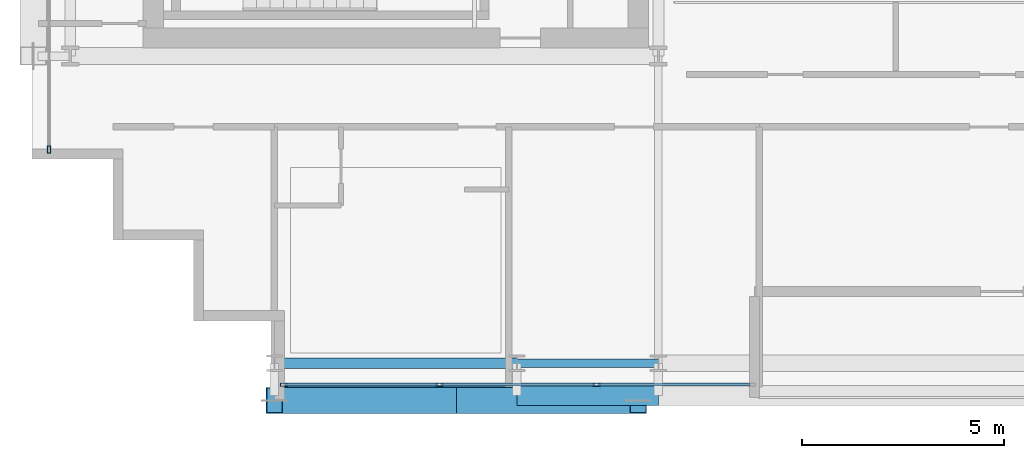
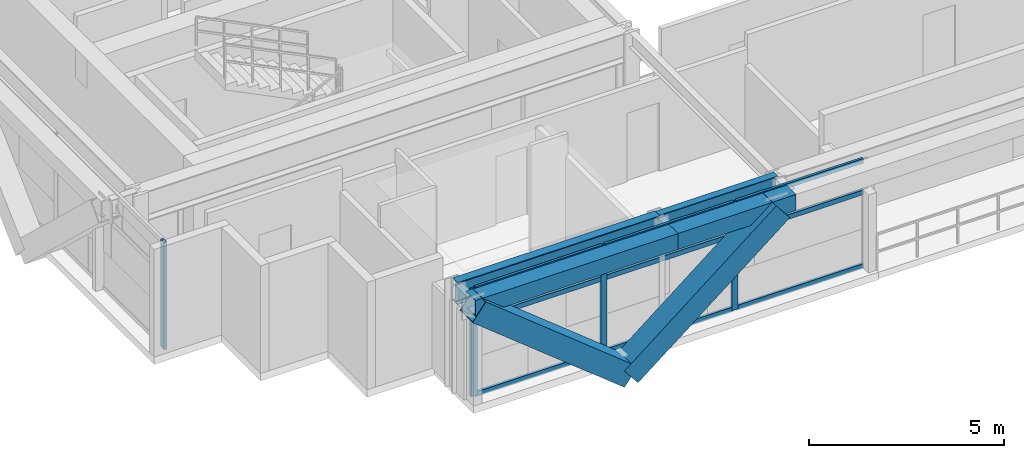
# One storey, part 2 of 37: 15 members, 4 beams, 2 elements without a shape of their own.
"""IFC4 building model written with IfcOpenShell, lengths in metres."""

from ifc_helpers import new_model, si_unit, direction, frame, origin, origin_2d, place, context, subcontext, project, spatial, hollow_rectangle, i_section, extrude, source, transform, mapped, material, layer, layer_set, material_profile, profile_set, type_object, element, aggregate, save


model = new_model("IFC4")

# Units and contexts
model_context = context("Model", 3, precision=1e-05, world=origin(), true_north=direction((0.0, 1.0)))
body_context = subcontext(model_context, "Body", "Model", "MODEL_VIEW")
ifc_project = project(units=[si_unit("LENGTHUNIT", "METRE"), si_unit("AREAUNIT", "SQUARE_METRE"), si_unit("VOLUMEUNIT", "CUBIC_METRE"), si_unit("PLANEANGLEUNIT", "RADIAN"), si_unit("MASSUNIT", "GRAM", prefix="KILO")], contexts=[model_context])

# Site, building, storey
site_placement = place(None, origin())
site = spatial("IfcSite", under=ifc_project, at=site_placement, CompositionType="ELEMENT")
building_placement = place(site_placement, origin())
building = spatial("IfcBuilding", under=site, at=building_placement, Name="Ocotamira Hotel", CompositionType="ELEMENT")
storey_placement = place(building_placement, frame((0.0, 0.0, 192.0)))
storey = spatial("IfcBuildingStorey", under=building, at=storey_placement, Name="L48", CompositionType="ELEMENT", Elevation=192.0)

# Beams
ifc_material_1 = material(Name="Steel ASTM A992 Grade 50", Category="steel")
ifc_material_profile_1 = material_profile(ifc_material_1, i_section(OverallWidth=0.256103515625, OverallDepth=0.693115234375, WebThickness=0.014404296875, FlangeThickness=0.023681640625, FilletRadius=0.01611328125, at=origin_2d()), Name="W27X114")
ifc_profile_set_1 = profile_set([ifc_material_profile_1], Name="Steel ASTM A992 Grade 50")
beam_type_1 = type_object("IfcBeamType", Name="BM-PRIM-W27X114", PredefinedType="BEAM", material=ifc_profile_set_1)
shared_shape_1 = source(origin(), body_context, "Body", "SweptSolid", [
    extrude(i_section(OverallWidth=0.256103515625, OverallDepth=0.693115234375, WebThickness=0.014404296875, FlangeThickness=0.023681640625, FilletRadius=0.01611328125, at=origin_2d()), origin(), (0.0, 0.0, 1.0), 6.0),
])
beam_1_placement = place(storey_placement, frame((14.0, 6.949951171875, 3.0234375), z_axis=(1.0, 0.0, 0.0), x_axis=(0.0, 1.0, 0.0)))
element("IfcBeam", 1, at=beam_1_placement, inside=storey, type_object=beam_type_1, Name="L48 Girder Y6.95 X14-20", PredefinedType="BEAM", context=body_context, shape_type="MappedRepresentation", body=[
    mapped(shared_shape_1, transform((0.0, 0.0, 0.0), scale=1.0)),
])
ifc_material_profile_2 = material_profile(ifc_material_1, i_section(OverallWidth=0.2099609375, OverallDepth=0.537109375, WebThickness=0.010986328125, FlangeThickness=0.017333984375, FilletRadius=0.012939453125, at=origin_2d()), Name="W21X68")
ifc_profile_set_2 = profile_set([ifc_material_profile_2], Name="Steel ASTM A992 Grade 50")
beam_type_2 = type_object("IfcBeamType", Name="BM-SEC-W21X68", PredefinedType="JOIST", material=ifc_profile_set_2)
shared_shape_2 = source(origin(), body_context, "Body", "SweptSolid", [
    extrude(i_section(OverallWidth=0.2099609375, OverallDepth=0.537109375, WebThickness=0.010986328125, FlangeThickness=0.017333984375, FilletRadius=0.012939453125, at=origin_2d()), origin(), (0.0, 0.0, 1.0), 3.5),
])
beam_2_placement = place(storey_placement, frame((20.0, 6.949951171875, 3.1015625), z_axis=(1.0, 0.0, 0.0), x_axis=(0.0, 1.0, 0.0)))
element("IfcBeam", 2, at=beam_2_placement, inside=storey, type_object=beam_type_2, Name="L48 Girder Y6.95 X20-23.5", PredefinedType="JOIST", context=body_context, shape_type="MappedRepresentation", body=[
    mapped(shared_shape_2, transform((0.0, 0.0, 0.0), scale=1.0)),
])
ifc_material_2 = material(Name="Steel ASTM A500 Grade C", Category="steel")
ifc_material_profile_3 = material_profile(ifc_material_2, hollow_rectangle(XDim=0.5, YDim=0.5, WallThickness=0.02001953125, at=origin_2d()), Name="HSS500X500X20")
ifc_profile_set_3 = profile_set([ifc_material_profile_3], Name="Steel ASTM A500 Grade C")
beam_type_3 = type_object("IfcBeamType", Name="BM-SPAN-HSS500", PredefinedType="USERDEFINED", material=ifc_profile_set_3)
shared_shape_3 = source(origin(), body_context, "Body", "SweptSolid", [
    extrude(hollow_rectangle(XDim=0.5, YDim=0.5, WallThickness=0.02001953125, at=origin_2d()), origin(), (0.0, 0.0, 1.0), 6.0),
])
beam_3_placement = place(storey_placement, frame((14.0, 6.14990234375, 3.1201171875), z_axis=(1.0, 0.0, 0.0), x_axis=(0.0, 1.0, 0.0)))
element("IfcBeam", 3, at=beam_3_placement, inside=storey, type_object=beam_type_3, Name="L48 Edge Spandrel S X14-20", ObjectType="SPANDREL", PredefinedType="USERDEFINED", context=body_context, shape_type="MappedRepresentation", body=[
    mapped(shared_shape_3, transform((0.0, 0.0, 0.0), scale=1.0)),
])
shared_shape_4 = source(origin(), body_context, "Body", "SweptSolid", [
    extrude(hollow_rectangle(XDim=0.5, YDim=0.5, WallThickness=0.02001953125, at=origin_2d()), origin(), (0.0, 0.0, 1.0), 3.5),
])
beam_4_placement = place(storey_placement, frame((20.0, 6.14990234375, 3.1201171875), z_axis=(1.0, 0.0, 0.0), x_axis=(0.0, 1.0, 0.0)))
element("IfcBeam", 4, at=beam_4_placement, inside=storey, type_object=beam_type_3, Name="L48 Edge Spandrel S X20-23.5", ObjectType="SPANDREL", PredefinedType="USERDEFINED", context=body_context, shape_type="MappedRepresentation", body=[
    mapped(shared_shape_4, transform((0.0, 0.0, 0.0), scale=1.0)),
])

# Members
ifc_material_3 = material(Name="Pale-metal coated steel ASTM A913 Grade 65", Category="steel")
ifc_material_profile_4 = material_profile(ifc_material_3, hollow_rectangle(XDim=0.64990234375, YDim=0.64990234375, WallThickness=0.02197265625, at=origin_2d()), Name="BOX650X650X22")
ifc_profile_set_4 = profile_set([ifc_material_profile_4], Name="Pale-metal coated steel ASTM A913 Grade 65")
member_type_1 = type_object("IfcMemberType", Name="MEM-EXO-BOX650", PredefinedType="BRACE", material=ifc_profile_set_4)
shared_shape_5 = source(origin(), body_context, "Body", "SweptSolid", [
    extrude(hollow_rectangle(XDim=0.64990234375, YDim=0.64990234375, WallThickness=0.02197265625, at=origin_2d()), origin(), (0.0, 0.0, 1.0), 5.762939453125),
])
for number, where, z_axis, x_axis, name in (
    (5, (18.5, 6.030029296875, -0.47998046875), (-0.780860543151, 0.0, 0.624705380279), (0.0, -1.0, 0.0), "L48 Exoskeleton Diagrid S0.1"),
    (6, (18.5, 6.030029296875, -0.47998046875), (0.780860543151, 0.0, 0.624705380279), (0.0, 1.0, 0.0), "L48 Exoskeleton Diagrid S0.2"),
):
    element("IfcMember", number, at=place(storey_placement, frame(where, z_axis=z_axis, x_axis=x_axis)), inside=storey, type_object=member_type_1, Name=name, PredefinedType="BRACE", context=body_context, shape_type="MappedRepresentation", body=[
        mapped(shared_shape_5, transform((0.0, 0.0, 0.0), scale=1.0)),
    ])

# Curtain wall, members
ifc_material_4 = material(Name="Anodised pale-metal aluminium and solar glass", Category="aluminium")
ifc_layer = layer(ifc_material_4, 0.199951171875)
ifc_layer_set = layer_set([ifc_layer], Name="Anodised pale-metal aluminium and solar glass")
curtain_wall_type = type_object("IfcCurtainWallType", Name="CW-SYS4-Z3", PredefinedType="NOTDEFINED", material=ifc_layer_set)
curtain_wall_1_placement = place(storey_placement, origin())
curtain_wall_1 = element("IfcCurtainWall", 7, at=curtain_wall_1_placement, inside=storey, type_object=curtain_wall_type, Name="L48 Curtain Wall CW-4 CW-L48-S1", PredefinedType="NOTDEFINED")
ifc_material_5 = material(Name="Anodised pale-metal aluminium 6063-T6", Category="aluminium")
ifc_material_profile_5 = material_profile(ifc_material_5, hollow_rectangle(XDim=0.080078125, YDim=0.179931640625, WallThickness=0.006103515625, at=origin_2d()), Name="HSS180X80X6")
ifc_profile_set_5 = profile_set([ifc_material_profile_5], Name="Anodised pale-metal aluminium 6063-T6")
member_type_2 = type_object("IfcMemberType", Name="CWM-180X75", PredefinedType="MULLION", material=ifc_profile_set_5)
shared_shape_6 = source(origin(), body_context, "Body", "SweptSolid", [
    extrude(hollow_rectangle(XDim=0.080078125, YDim=0.179931640625, WallThickness=0.006103515625, at=origin_2d()), origin(), (0.0, 0.0, 1.0), 3.3701171875),
])
member_1_placement = place(storey_placement, frame((14.239990234375, 6.419921875, 0.0), z_axis=(0.0, 0.0, 1.0), x_axis=(0.0, 1.0, 0.0)))
member_1 = element("IfcMember", 8, at=member_1_placement, type_object=member_type_2, Name="CW-4 mullion 1", PredefinedType="MULLION", context=body_context, shape_type="MappedRepresentation", body=[
    mapped(shared_shape_6, transform((0.0, 0.0, 0.0), scale=1.0)),
])
member_2_placement = place(storey_placement, frame((18.083251953125, 6.419921875, 0.0), z_axis=(0.0, 0.0, 1.0), x_axis=(0.0, 1.0, 0.0)))
member_2 = element("IfcMember", 9, at=member_2_placement, type_object=member_type_2, Name="CW-4 mullion 2", PredefinedType="MULLION", context=body_context, shape_type="MappedRepresentation", body=[
    mapped(shared_shape_6, transform((0.0, 0.0, 0.0), scale=1.0)),
])
member_3_placement = place(storey_placement, frame((21.966552734375, 6.419921875, 0.0), z_axis=(0.0, 0.0, 1.0), x_axis=(0.0, 1.0, 0.0)))
member_3 = element("IfcMember", 10, at=member_3_placement, type_object=member_type_2, Name="CW-4 mullion 3", PredefinedType="MULLION", context=body_context, shape_type="MappedRepresentation", body=[
    mapped(shared_shape_6, transform((0.0, 0.0, 0.0), scale=1.0)),
])

# Curtain wall, member
curtain_wall_2_placement = place(storey_placement, origin())
curtain_wall_2 = element("IfcCurtainWall", 11, at=curtain_wall_2_placement, inside=storey, type_object=curtain_wall_type, Name="L48 Curtain Wall CW-4 CW-L48-W", PredefinedType="NOTDEFINED")
member_4_placement = place(storey_placement, frame((8.419921875, 12.239990234375, 0.0), z_axis=(0.0, 0.0, 1.0), x_axis=(-1.0, 0.0, 0.0)))
member_4 = element("IfcMember", 12, at=member_4_placement, type_object=member_type_2, Name="CW-4 mullion 1", PredefinedType="MULLION", context=body_context, shape_type="MappedRepresentation", body=[
    mapped(shared_shape_6, transform((0.0, 0.0, 0.0), scale=1.0)),
])
aggregate(curtain_wall_2, [member_4])

# Member
ifc_material_profile_6 = material_profile(ifc_material_5, hollow_rectangle(XDim=0.074951171875, YDim=0.14990234375, WallThickness=0.006103515625, at=origin_2d()), Name="HSS150X75X6")
ifc_profile_set_6 = profile_set([ifc_material_profile_6], Name="Anodised pale-metal aluminium 6063-T6")
member_type_3 = type_object("IfcMemberType", Name="CWT-150X75", PredefinedType="USERDEFINED", material=ifc_profile_set_6)
shared_shape_7 = source(origin(), body_context, "Body", "SweptSolid", [
    extrude(hollow_rectangle(XDim=0.074951171875, YDim=0.14990234375, WallThickness=0.006103515625, at=origin_2d()), origin(), (0.0, 0.0, 1.0), 3.76318359375),
])
member_5_placement = place(storey_placement, frame((14.280029296875, 6.419921875, 0.03759765625), z_axis=(1.0, 0.0, 0.0), x_axis=(0.0, 1.0, 0.0)))
member_5 = element("IfcMember", 13, at=member_5_placement, type_object=member_type_3, Name="CW-4 transom 1.1", ObjectType="TRANSOM", PredefinedType="USERDEFINED", context=body_context, shape_type="MappedRepresentation", body=[
    mapped(shared_shape_7, transform((0.0, 0.0, 0.0), scale=1.0)),
])

member_6_placement = place(storey_placement, frame((14.280029296875, 6.419921875, 2.35009765625), z_axis=(1.0, 0.0, 0.0), x_axis=(0.0, 1.0, 0.0)))
member_6 = element("IfcMember", 14, at=member_6_placement, type_object=member_type_3, Name="CW-4 transom 1.2", ObjectType="TRANSOM", PredefinedType="USERDEFINED", context=body_context, shape_type="MappedRepresentation", body=[
    mapped(shared_shape_7, transform((0.0, 0.0, 0.0), scale=1.0)),
])

member_7_placement = place(storey_placement, frame((14.280029296875, 6.419921875, 3.33251953125), z_axis=(1.0, 0.0, 0.0), x_axis=(0.0, 1.0, 0.0)))
member_7 = element("IfcMember", 15, at=member_7_placement, type_object=member_type_3, Name="CW-4 transom 1.3", ObjectType="TRANSOM", PredefinedType="USERDEFINED", context=body_context, shape_type="MappedRepresentation", body=[
    mapped(shared_shape_7, transform((0.0, 0.0, 0.0), scale=1.0)),
])

shared_shape_8 = source(origin(), body_context, "Body", "SweptSolid", [
    extrude(hollow_rectangle(XDim=0.074951171875, YDim=0.14990234375, WallThickness=0.006103515625, at=origin_2d()), origin(), (0.0, 0.0, 1.0), 3.803466796875),
])
member_8_placement = place(storey_placement, frame((18.123291015625, 6.419921875, 0.03759765625), z_axis=(1.0, 0.0, 0.0), x_axis=(0.0, 1.0, 0.0)))
member_8 = element("IfcMember", 16, at=member_8_placement, type_object=member_type_3, Name="CW-4 transom 2.1", ObjectType="TRANSOM", PredefinedType="USERDEFINED", context=body_context, shape_type="MappedRepresentation", body=[
    mapped(shared_shape_8, transform((0.0, 0.0, 0.0), scale=1.0)),
])

member_9_placement = place(storey_placement, frame((18.123291015625, 6.419921875, 2.35009765625), z_axis=(1.0, 0.0, 0.0), x_axis=(0.0, 1.0, 0.0)))
member_9 = element("IfcMember", 17, at=member_9_placement, type_object=member_type_3, Name="CW-4 transom 2.2", ObjectType="TRANSOM", PredefinedType="USERDEFINED", context=body_context, shape_type="MappedRepresentation", body=[
    mapped(shared_shape_8, transform((0.0, 0.0, 0.0), scale=1.0)),
])

member_10_placement = place(storey_placement, frame((18.123291015625, 6.419921875, 3.33251953125), z_axis=(1.0, 0.0, 0.0), x_axis=(0.0, 1.0, 0.0)))
member_10 = element("IfcMember", 18, at=member_10_placement, type_object=member_type_3, Name="CW-4 transom 2.3", ObjectType="TRANSOM", PredefinedType="USERDEFINED", context=body_context, shape_type="MappedRepresentation", body=[
    mapped(shared_shape_8, transform((0.0, 0.0, 0.0), scale=1.0)),
])

shared_shape_9 = source(origin(), body_context, "Body", "SweptSolid", [
    extrude(hollow_rectangle(XDim=0.074951171875, YDim=0.14990234375, WallThickness=0.006103515625, at=origin_2d()), origin(), (0.0, 0.0, 1.0), 3.763427734375),
])
member_11_placement = place(storey_placement, frame((22.006591796875, 6.419921875, 0.03759765625), z_axis=(1.0, 0.0, 0.0), x_axis=(0.0, 1.0, 0.0)))
member_11 = element("IfcMember", 19, at=member_11_placement, type_object=member_type_3, Name="CW-4 transom 3.1", ObjectType="TRANSOM", PredefinedType="USERDEFINED", context=body_context, shape_type="MappedRepresentation", body=[
    mapped(shared_shape_9, transform((0.0, 0.0, 0.0), scale=1.0)),
])

member_12_placement = place(storey_placement, frame((22.006591796875, 6.419921875, 2.35009765625), z_axis=(1.0, 0.0, 0.0), x_axis=(0.0, 1.0, 0.0)))
member_12 = element("IfcMember", 20, at=member_12_placement, type_object=member_type_3, Name="CW-4 transom 3.2", ObjectType="TRANSOM", PredefinedType="USERDEFINED", context=body_context, shape_type="MappedRepresentation", body=[
    mapped(shared_shape_9, transform((0.0, 0.0, 0.0), scale=1.0)),
])

member_13_placement = place(storey_placement, frame((22.006591796875, 6.419921875, 3.33251953125), z_axis=(1.0, 0.0, 0.0), x_axis=(0.0, 1.0, 0.0)))
member_13 = element("IfcMember", 21, at=member_13_placement, type_object=member_type_3, Name="CW-4 transom 3.3", ObjectType="TRANSOM", PredefinedType="USERDEFINED", context=body_context, shape_type="MappedRepresentation", body=[
    mapped(shared_shape_9, transform((0.0, 0.0, 0.0), scale=1.0)),
])

aggregate(curtain_wall_1, [member_1, member_2, member_3, member_5, member_6, member_7, member_8, member_9, member_10, member_11, member_12, member_13])

save(model, "model.ifc")
